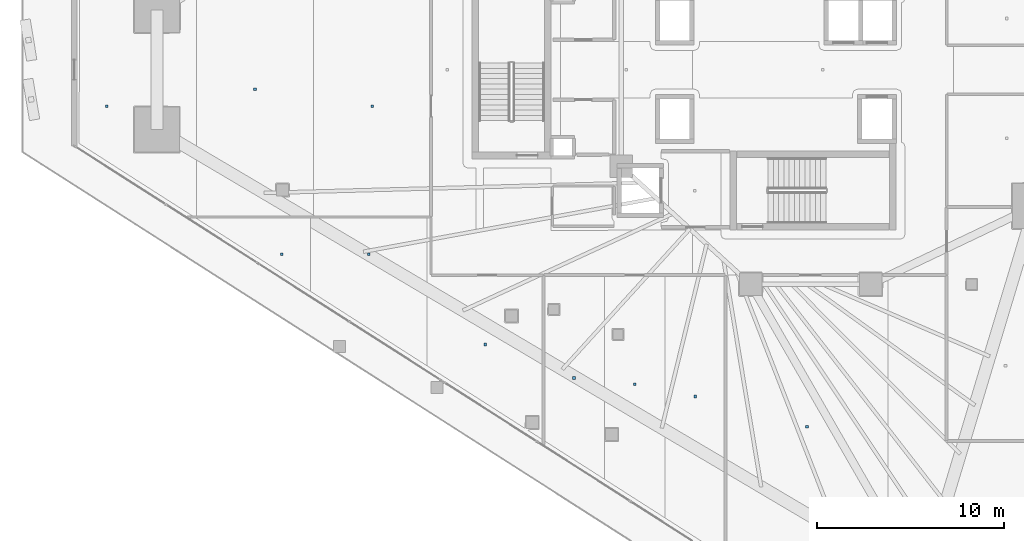
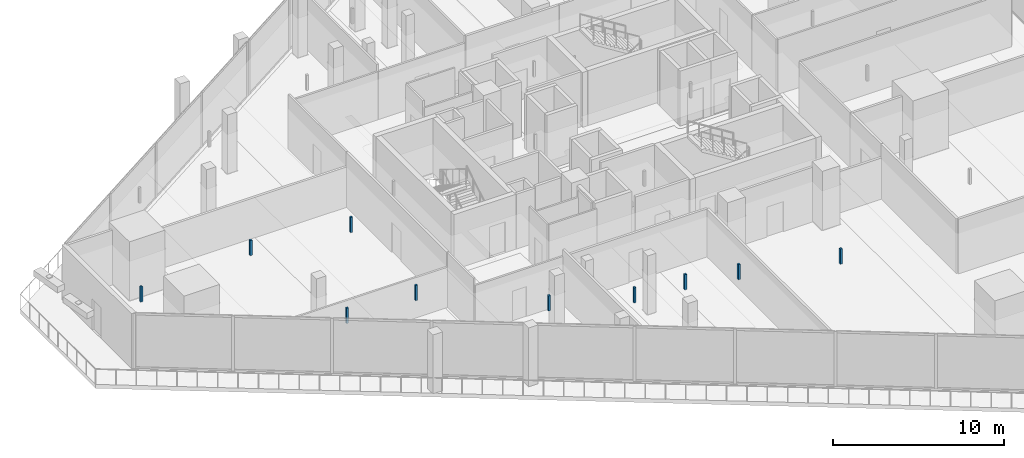
# One storey, part 32 of 45: 10 discrete accessories.
"""IFC4 building model written with IfcOpenShell, lengths in metres."""

from ifc_helpers import new_model, si_unit, direction, frame, origin, origin_2d, place, context, subcontext, project, spatial, rectangle, extrude, material, type_object, element, save


model = new_model("IFC4")

# Units and contexts
model_context = context("Model", 3, precision=1e-05, world=origin(), true_north=direction((0.0, 1.0)))
body_context = subcontext(model_context, "Body", "Model", "MODEL_VIEW")
ifc_project = project(units=[si_unit("LENGTHUNIT", "METRE"), si_unit("AREAUNIT", "SQUARE_METRE"), si_unit("VOLUMEUNIT", "CUBIC_METRE"), si_unit("PLANEANGLEUNIT", "RADIAN"), si_unit("MASSUNIT", "GRAM", prefix="KILO")], contexts=[model_context])

# Site, building, storey
site_placement = place(None, origin())
site = spatial("IfcSite", under=ifc_project, at=site_placement, CompositionType="ELEMENT")
building_placement = place(site_placement, origin())
building = spatial("IfcBuilding", under=site, at=building_placement, Name="Qorvath Tower", CompositionType="ELEMENT")
storey_placement = place(building_placement, frame((0.0, 0.0, 66.0)))
storey = spatial("IfcBuildingStorey", under=building, at=storey_placement, Name="L14", CompositionType="ELEMENT", Elevation=66.0)

# Discrete accessories
ifc_material = material(Name="Galvanised steel bracket", Category="steel")
discrete_accessory_type = type_object("IfcDiscreteAccessoryType", Name="DA-BRACKET", PredefinedType="BRACKET", material=ifc_material)
for number, where, z_axis, x_axis, name in (
    (1, (-33.02685546875, -16.45166015625, 2.860107421875), (0.0, 0.0, 1.0), (1.0, 0.0, 0.0), "Acoustic Ceiling Suspension Hanger T1-L14-021"),
    (2, (-29.790283203125, -16.776123046875, 2.860107421875), (0.0, 0.0, 1.0), (1.0, 0.0, 0.0), "Acoustic Ceiling Suspension Hanger T1-L14-022"),
    (3, (-26.553955078125, -17.43798828125, 2.860107421875), (0.0, 0.0, 1.0), (1.0, 0.0, 0.0), "Acoustic Ceiling Suspension Hanger T1-L14-023"),
    (4, (-20.5947265625, -19.05126953125, 2.860107421875), (0.0, 0.0, 1.0), (1.0, 0.0, 0.0), "Acoustic Ceiling Suspension Hanger T1-L14-024"),
    (5, (-48.6298828125, -9.845947265625, 2.860107421875), (0.0, 0.0, 1.0), (1.0, 0.0, 0.0), "Acoustic Ceiling Suspension Hanger T1-L14-036"),
    (6, (-43.97412109375, -9.845947265625, 2.860107421875), (0.0, 0.0, 1.0), (1.0, 0.0, 0.0), "Acoustic Ceiling Suspension Hanger T1-L14-037"),
    (7, (-37.766845703125, -14.65869140625, 2.860107421875), (0.0, 0.0, 1.0), (1.0, 0.0, 0.0), "Acoustic Ceiling Suspension Hanger T1-L14-038"),
    (8, (-57.962158203125, -1.943359375, 2.860107421875), (0.0, 0.0, 1.0), (1.0, 0.0, 0.0), "Acoustic Ceiling Suspension Hanger T1-L14-039"),
    (9, (-50.052490234375, -1.044189453125, 2.860107421875), (0.0, 0.0, 1.0), (1.0, 0.0, 0.0), "Acoustic Ceiling Suspension Hanger T1-L14-040"),
    (10, (-43.792724609375, -1.9462890625, 2.860107421875), (0.0, 0.0, 1.0), (1.0, 0.0, 0.0), "Acoustic Ceiling Suspension Hanger T1-L14-041"),
):
    element("IfcDiscreteAccessory", number, at=place(storey_placement, frame(where, z_axis=z_axis, x_axis=x_axis)), inside=storey, type_object=discrete_accessory_type, Name=name, PredefinedType="NOTDEFINED", context=body_context, shape_type="SweptSolid", body=[
        extrude(rectangle(XDim=0.139892578125, YDim=0.139892578125, at=origin_2d()), origin(), (0.0, 0.0, 1.0), 1.08984375),
    ])

save(model, "model.ifc")
